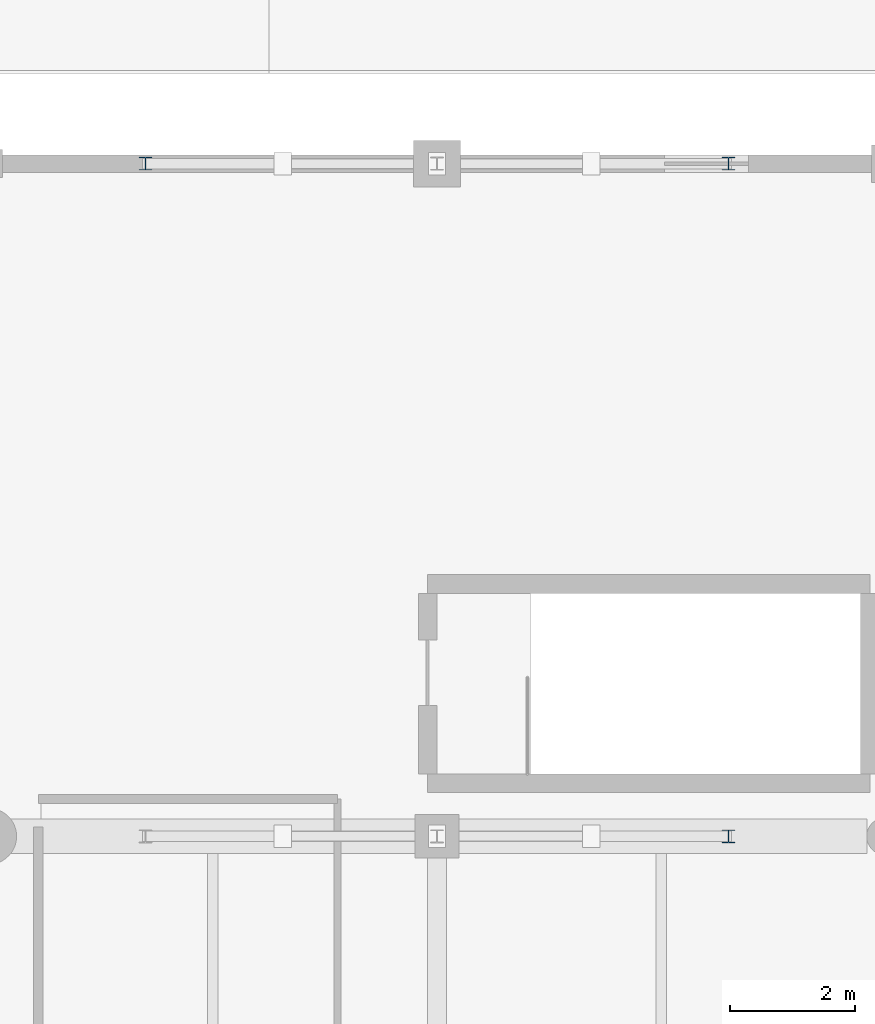
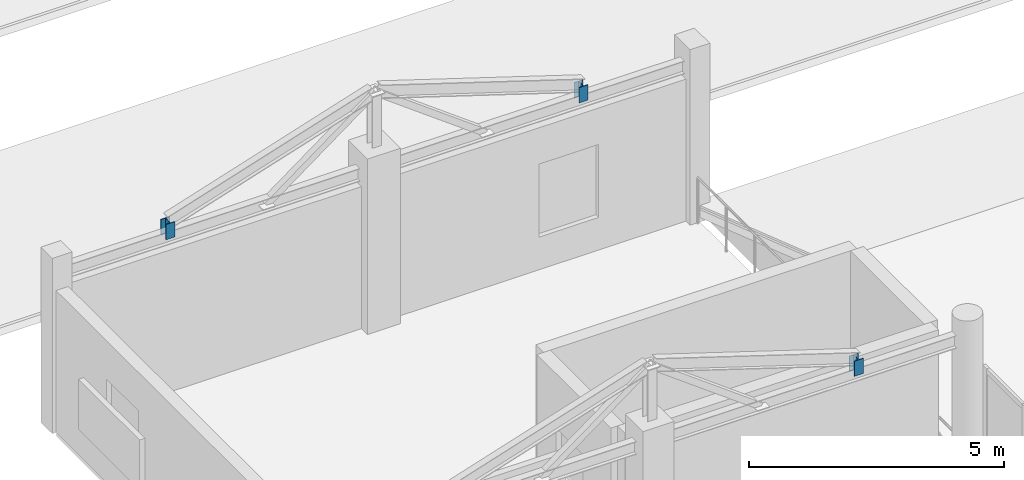
# One storey, part 42 of 90: 3 members.
"""IFC4 building model written with IfcOpenShell, lengths in metres."""

from ifc_helpers import new_model, si_unit, direction, frame, origin, origin_2d, place, context, subcontext, project, spatial, i_section, extrude, material, material_profile, profile_set, type_object, element, save


model = new_model("IFC4")

# Units and contexts
model_context = context("Model", 3, precision=1e-05, world=origin(), true_north=direction((0.0, 1.0)))
body_context = subcontext(model_context, "Body", "Model", "MODEL_VIEW")
ifc_project = project(units=[si_unit("LENGTHUNIT", "METRE"), si_unit("AREAUNIT", "SQUARE_METRE"), si_unit("VOLUMEUNIT", "CUBIC_METRE"), si_unit("PLANEANGLEUNIT", "RADIAN"), si_unit("MASSUNIT", "GRAM", prefix="KILO")], contexts=[model_context])

# Site, building, storey
site_placement = place(None, origin())
site = spatial("IfcSite", under=ifc_project, at=site_placement, CompositionType="ELEMENT")
building_placement = place(site_placement, origin())
building = spatial("IfcBuilding", under=site, at=building_placement, Name="Solanera Park Tramway Depot", CompositionType="ELEMENT")
storey_placement = place(building_placement, frame((0.0, 0.0, 9.0)))
storey = spatial("IfcBuildingStorey", under=building, at=storey_placement, Name="L02", CompositionType="ELEMENT", Elevation=9.0)

# Members
ifc_material = material(Name="Steel AS/NZS 3679.1 Grade 350", Category="steel")
ifc_material_profile = material_profile(ifc_material, i_section(OverallWidth=0.205078125, OverallDepth=0.209716796875, WebThickness=0.00927734375, FlangeThickness=0.01416015625, at=origin_2d()), Name="200UC59.5")
ifc_profile_set = profile_set([ifc_material_profile], Name="Steel AS/NZS 3679.1 Grade 350")
member_type = type_object("IfcMemberType", Name="Roof Gantry Compression Strut 200UC59.5", PredefinedType="STRUT", material=ifc_profile_set)
member_placement = place(storey_placement, frame((119.8798828125, 43.199951171875, 3.648193359375), z_axis=(0.0, 0.0, 1.0), x_axis=(1.0, 0.0, 0.0)))
element("IfcMember", 1, at=member_placement, inside=storey, type_object=member_type, Name="Hip ROOF TRUSS Heel Post #0147", PredefinedType="STRUT", context=body_context, shape_type="SweptSolid", body=[
    extrude(i_section(OverallWidth=0.205078125, OverallDepth=0.209716796875, WebThickness=0.00927734375, FlangeThickness=0.01416015625, at=origin_2d()), origin(), (0.0, 0.0, 1.0), 0.36376953125),
])
for number, where, z_axis, x_axis, name in (
    (2, (110.52001953125, 54.0, 3.646484375), (0.0, 0.0, 1.0), (1.0, 0.0, 0.0), "Hip ROOF TRUSS Heel Post #0149"),
    (3, (119.8798828125, 54.0, 3.646484375), (0.0, 0.0, 1.0), (1.0, 0.0, 0.0), "Hip ROOF TRUSS Heel Post #0150"),
):
    element("IfcMember", number, at=place(storey_placement, frame(where, z_axis=z_axis, x_axis=x_axis)), inside=storey, type_object=member_type, Name=name, PredefinedType="STRUT", context=body_context, shape_type="SweptSolid", body=[
        extrude(i_section(OverallWidth=0.205078125, OverallDepth=0.209716796875, WebThickness=0.00927734375, FlangeThickness=0.01416015625, at=origin_2d()), origin(), (0.0, 0.0, 1.0), 0.3671875),
    ])

save(model, "model.ifc")
